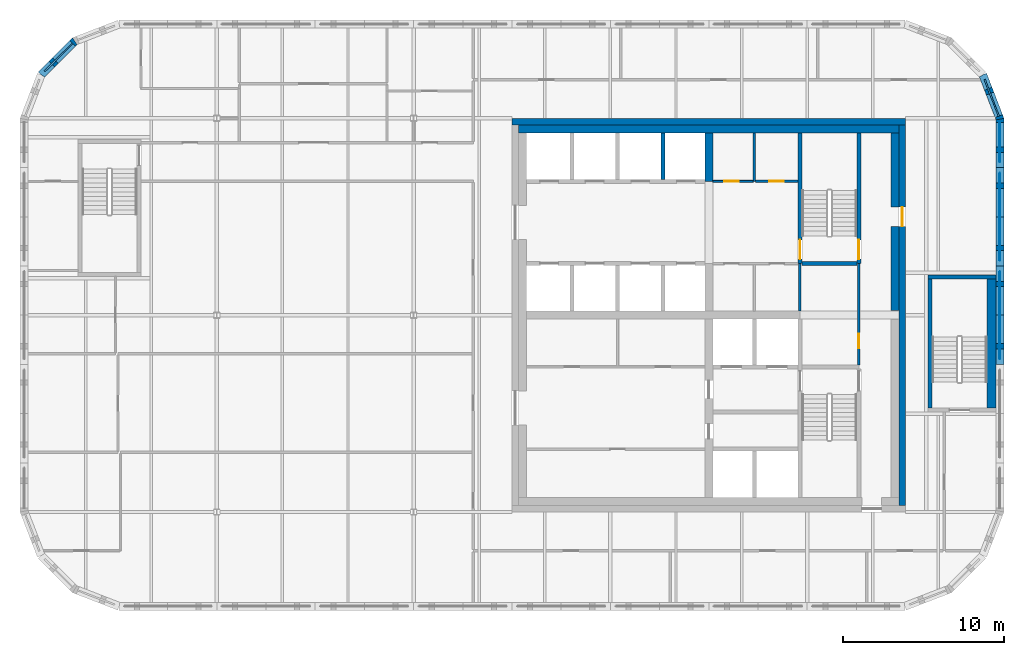
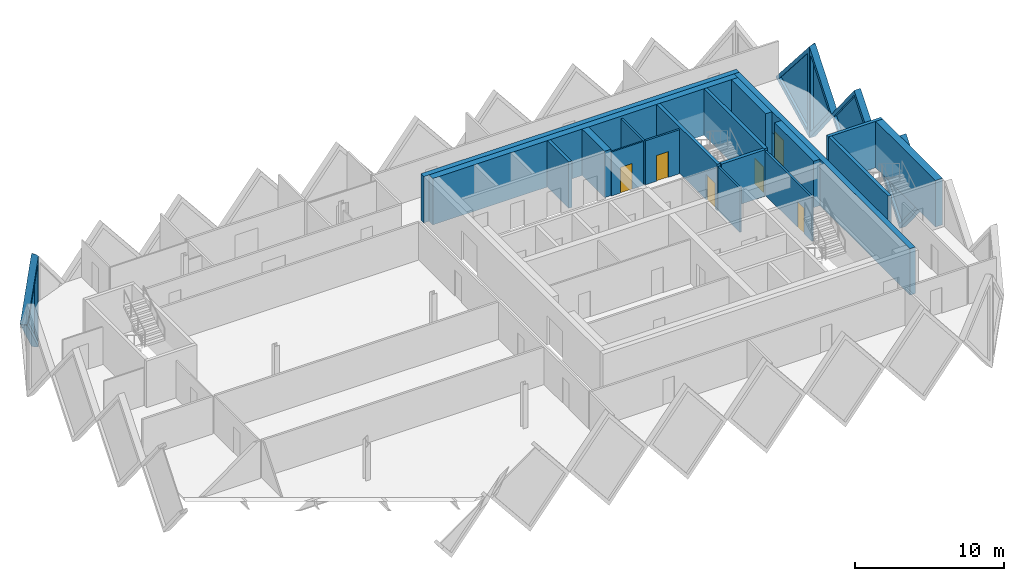
# One storey, part 7 of 10: 23 walls, 6 doors, 5 plates, 11 openings.
"""IFC4 building model written with IfcOpenShell, lengths in metres."""

from ifc_helpers import new_model, si_unit, direction, frame, frame_2d, origin, place, context, subcontext, project, spatial, polyline, rectangle, outline, extrude, faceted_brep, source, transform, mapped, material, layer, layer_set, type_object, element, fill, save


model = new_model("IFC4")

# Units and contexts
model_context = context("Model", 3, precision=1e-05, world=origin(), true_north=direction((0.0, 1.0)))
body_context = subcontext(model_context, "Body", "Model", "MODEL_VIEW")
ifc_project = project(units=[si_unit("LENGTHUNIT", "METRE"), si_unit("AREAUNIT", "SQUARE_METRE"), si_unit("VOLUMEUNIT", "CUBIC_METRE"), si_unit("PLANEANGLEUNIT", "RADIAN"), si_unit("MASSUNIT", "GRAM", prefix="KILO")], contexts=[model_context])

# Site, building, storey
site_placement = place(None, origin())
site = spatial("IfcSite", under=ifc_project, at=site_placement, CompositionType="ELEMENT")
building_placement = place(site_placement, origin())
building = spatial("IfcBuilding", under=site, at=building_placement, Name="Tessera Gate Towers", CompositionType="ELEMENT")
storey_placement = place(building_placement, frame((0.0, 0.0, 248.300048828125)))
storey = spatial("IfcBuildingStorey", under=building, at=storey_placement, Name="L62", CompositionType="ELEMENT", Elevation=248.300048828125)

# Wall, opening, door
ifc_material_1 = material(Name="Concrete C40/50", Category="concrete")
ifc_layer_1 = layer(ifc_material_1, 0.25)
ifc_layer_set_1 = layer_set([ifc_layer_1], Name="CORE ENCLOSURE WALL 250")
wall_type_1 = type_object("IfcWallType", Name="CORE ENCLOSURE WALL 250", PredefinedType="SOLIDWALL", material=ifc_layer_set_1)
wall_1_placement = place(storey_placement, frame((48.35009765625, 47.89990234375, 0.0), z_axis=(0.0, 0.0, 1.0), x_axis=(0.0, -1.0, 0.0)))
wall_1 = element("IfcWall", 1, at=wall_1_placement, inside=storey, type_object=wall_type_1, Name="L62 shaft and stair enclosure wall", PredefinedType="SOLIDWALL", context=body_context, shape_type="SweptSolid", body=[
    extrude(rectangle(XDim=8.099853515625, YDim=0.25, at=frame_2d((4.0498046875, 0.0))), origin(), (0.0, 0.0, 1.0), 3.800048828125),
])
shared_shape_1 = source(origin(), body_context, "Body", "SweptSolid", [
    extrude(rectangle(XDim=1.199951171875, YDim=2.10009765625, at=frame_2d((0.60009765625, 1.050048828125))), frame((0.0, 0.135009765625, 0.0), z_axis=(0.0, -1.0, 0.0), x_axis=(1.0, 0.0, 0.0)), (0.0, 0.0, 1.0), 0.27001953125),
])
opening_1_placement = place(wall_1_placement, frame((6.625, 0.0, 0.0)))
opening_1 = element("IfcOpeningElement", 2, at=opening_1_placement, cuts=wall_1, Name="Opening SD-ST2-1", PredefinedType="OPENING", context=body_context, shape_type="MappedRepresentation", body=[
    mapped(shared_shape_1, transform((0.0, 0.0, 0.0), scale=1.0)),
])
ifc_material_2 = material(Name="Hollow steel fire door", Category="steel")
door_type_1 = type_object("IfcDoorType", Name="CORE DOOR SD 1200x2100", OperationType="NOTDEFINED", PredefinedType="DOOR", material=ifc_material_2)
shared_shape_2 = source(origin(), body_context, "Body", "SweptSolid", [
    extrude(rectangle(XDim=1.199951171875, YDim=2.10009765625, at=frame_2d((0.60009765625, 1.050048828125))), frame((0.0, 0.02490234375, 0.0), z_axis=(0.0, -1.0, 0.0), x_axis=(1.0, 0.0, 0.0)), (0.0, 0.0, 1.0), 0.050048828125),
])
door_1_placement = place(opening_1_placement, origin())
door_1 = element("IfcDoor", 3, at=door_1_placement, inside=storey, type_object=door_type_1, Name="Stair door", OperationType="SINGLE_SWING_RIGHT", OverallHeight=2.10009765625, OverallWidth=1.199951171875, PredefinedType="DOOR", context=body_context, shape_type="MappedRepresentation", body=[
    mapped(shared_shape_2, transform((0.0, 0.0, 0.0), scale=1.0)),
])
fill(opening_1, door_1)

wall_2_placement = place(storey_placement, frame((52.0, 39.800048828125, 0.0), z_axis=(0.0, 0.0, 1.0), x_axis=(0.0, 1.0, 0.0)))
wall_2 = element("IfcWall", 4, at=wall_2_placement, inside=storey, type_object=wall_type_1, Name="L62 shaft and stair enclosure wall", PredefinedType="SOLIDWALL", context=body_context, shape_type="SweptSolid", body=[
    extrude(rectangle(XDim=8.099853515625, YDim=0.25, at=frame_2d((4.0498046875, 0.0))), origin(), (0.0, 0.0, 1.0), 3.800048828125),
])
opening_2_placement = place(wall_2_placement, frame((0.27490234375, 0.0, 0.0)))
opening_2 = element("IfcOpeningElement", 5, at=opening_2_placement, cuts=wall_2, Name="Opening SD-ST2-2", PredefinedType="OPENING", context=body_context, shape_type="MappedRepresentation", body=[
    mapped(shared_shape_1, transform((0.0, 0.0, 0.0), scale=1.0)),
])
door_2_placement = place(opening_2_placement, origin())
door_2 = element("IfcDoor", 6, at=door_2_placement, inside=storey, type_object=door_type_1, Name="Stair door", OperationType="SINGLE_SWING_LEFT", OverallHeight=2.10009765625, OverallWidth=1.199951171875, PredefinedType="DOOR", context=body_context, shape_type="MappedRepresentation", body=[
    mapped(shared_shape_2, transform((0.0, 0.0, 0.0), scale=1.0)),
])
fill(opening_2, door_2)

# Walls
wall_3_placement = place(storey_placement, frame((48.47509765625, 39.800048828125, 0.0), z_axis=(0.0, 0.0, 1.0), x_axis=(1.0, 0.0, 0.0)))
element("IfcWall", 7, at=wall_3_placement, inside=storey, type_object=wall_type_1, Name="L62 shaft and stair enclosure wall", PredefinedType="SOLIDWALL", context=body_context, shape_type="SweptSolid", body=[
    extrude(rectangle(XDim=3.39990234375, YDim=0.25, at=frame_2d((1.699951171875, 0.0))), origin(), (0.0, 0.0, 1.0), 3.800048828125),
])
wall_4_placement = place(storey_placement, frame((39.875, 45.02490234375, 0.0), z_axis=(0.0, 0.0, 1.0), x_axis=(0.0, 1.0, 0.0)))
element("IfcWall", 8, at=wall_4_placement, inside=storey, type_object=wall_type_1, Name="L62 shaft and stair enclosure wall", PredefinedType="SOLIDWALL", context=body_context, shape_type="SweptSolid", body=[
    extrude(rectangle(XDim=2.875, YDim=0.25, at=frame_2d((1.4375, 0.0))), origin(), (0.0, 0.0, 1.0), 3.800048828125),
])
wall_5_placement = place(storey_placement, frame((56.425048828125, 30.85009765625, 0.0), z_axis=(0.0, 0.0, 1.0), x_axis=(0.0, 1.0, 0.0)))
element("IfcWall", 9, at=wall_5_placement, inside=storey, type_object=wall_type_1, Name="L62 ST5 enclosure wall", PredefinedType="SOLIDWALL", context=body_context, shape_type="SweptSolid", body=[
    extrude(rectangle(XDim=8.0, YDim=0.25, at=frame_2d((4.0, 0.0))), origin(), (0.0, 0.0, 1.0), 3.800048828125),
])
wall_6_placement = place(storey_placement, frame((56.300048828125, 38.97509765625, 0.0), z_axis=(0.0, 0.0, 1.0), x_axis=(1.0, 0.0, 0.0)))
element("IfcWall", 10, at=wall_6_placement, inside=storey, type_object=wall_type_1, Name="L62 ST5 enclosure wall", PredefinedType="SOLIDWALL", context=body_context, shape_type="SweptSolid", body=[
    extrude(rectangle(XDim=4.199951171875, YDim=0.25, at=frame_2d((2.10009765625, 0.0))), origin(), (0.0, 0.0, 1.0), 3.800048828125),
])
ifc_material_3 = material(Name="Concrete C40/50", Category="concrete")
ifc_layer_2 = layer(ifc_material_3, 0.550048828125)
ifc_layer_set_2 = layer_set([ifc_layer_2], Name="CORE ENCLOSURE WALL 550")
wall_type_2 = type_object("IfcWallType", Name="CORE ENCLOSURE WALL 550", PredefinedType="SOLIDWALL", material=ifc_layer_set_2)
wall_7_placement = place(storey_placement, frame((60.22509765625, 38.85009765625, 0.0), z_axis=(0.0, 0.0, 1.0), x_axis=(0.0, -1.0, 0.0)))
element("IfcWall", 11, at=wall_7_placement, inside=storey, type_object=wall_type_2, Name="L62 ST5 enclosure wall", PredefinedType="SOLIDWALL", context=body_context, shape_type="SweptSolid", body=[
    extrude(rectangle(XDim=8.0, YDim=0.550048828125, at=frame_2d((4.0, 0.0))), origin(), (0.0, 0.0, 1.0), 3.800048828125),
])

# Wall, opening, door
ifc_material_4 = material(Name="Gypsum board on steel studs", Category="steel")
ifc_layer_3 = layer(ifc_material_4, 0.1201171875)
ifc_layer_set_3 = layer_set([ifc_layer_3], Name="CORE PARTITION 120")
wall_type_3 = type_object("IfcWallType", Name="CORE PARTITION 120", PredefinedType="PARTITIONING", material=ifc_layer_set_3)
wall_8_placement = place(storey_placement, frame((42.949951171875, 44.89990234375, 0.0), z_axis=(0.0, 0.0, 1.0), x_axis=(1.0, 0.0, 0.0)))
wall_8 = element("IfcWall", 12, at=wall_8_placement, inside=storey, type_object=wall_type_3, Name="L62 core partition", PredefinedType="PARTITIONING", context=body_context, shape_type="SweptSolid", body=[
    extrude(rectangle(XDim=2.5, YDim=0.1201171875, at=frame_2d((1.25, 0.0))), origin(), (0.0, 0.0, 1.0), 3.599853515625),
])
shared_shape_3 = source(origin(), body_context, "Body", "SweptSolid", [
    extrude(rectangle(XDim=0.89990234375, YDim=2.10009765625, at=frame_2d((0.449951171875, 1.050048828125))), frame((0.0, 0.070068359375, 0.0), z_axis=(0.0, -1.0, 0.0), x_axis=(1.0, 0.0, 0.0)), (0.0, 0.0, 1.0), 0.14013671875),
])
opening_3_placement = place(wall_8_placement, frame((0.71240234375, 0.0, 0.0)))
opening_3 = element("IfcOpeningElement", 13, at=opening_3_placement, cuts=wall_8, Name="Opening RD-T1-37-13", PredefinedType="OPENING", context=body_context, shape_type="MappedRepresentation", body=[
    mapped(shared_shape_3, transform((0.0, 0.0, 0.0), scale=1.0)),
])
ifc_material_5 = material(Name="Hollow steel fire door", Category="steel")
door_type_2 = type_object("IfcDoorType", Name="CORE DOOR RD 900x2100", OperationType="NOTDEFINED", PredefinedType="DOOR", material=ifc_material_5)
shared_shape_4 = source(origin(), body_context, "Body", "SweptSolid", [
    extrude(rectangle(XDim=0.89990234375, YDim=2.10009765625, at=frame_2d((0.449951171875, 1.050048828125))), frame((0.0, 0.02490234375, 0.0), z_axis=(0.0, -1.0, 0.0), x_axis=(1.0, 0.0, 0.0)), (0.0, 0.0, 1.0), 0.050048828125),
])
door_3_placement = place(opening_3_placement, origin())
door_3 = element("IfcDoor", 14, at=door_3_placement, inside=storey, type_object=door_type_2, Name="Core room door", OperationType="SINGLE_SWING_LEFT", OverallHeight=2.10009765625, OverallWidth=0.89990234375, PredefinedType="DOOR", context=body_context, shape_type="MappedRepresentation", body=[
    mapped(shared_shape_4, transform((0.0, 0.0, 0.0), scale=1.0)),
])
fill(opening_3, door_3)

# Wall
ifc_material_6 = material(Name="Concrete C40/50", Category="concrete")
ifc_layer_4 = layer(ifc_material_6, 0.39990234375)
ifc_layer_set_4 = layer_set([ifc_layer_4], Name="CORE SHEAR WALL 400 C40/50")
wall_type_4 = type_object("IfcWallType", Name="CORE SHEAR WALL 400 C40/50", PredefinedType="SHEAR", material=ifc_layer_set_4)
wall_9_placement = place(storey_placement, frame((30.5, 48.60009765625, 0.0), z_axis=(0.0, 0.0, 1.0), x_axis=(1.0, 0.0, 0.0)))
element("IfcWall", 15, at=wall_9_placement, inside=storey, type_object=wall_type_4, Name="Core wall N L62", PredefinedType="SHEAR", context=body_context, shape_type="SweptSolid", body=[
    extrude(rectangle(XDim=24.39990234375, YDim=0.39990234375, at=frame_2d((12.199951171875, 0.0))), origin(), (0.0, 0.0, 1.0), 3.800048828125),
])

# Wall, opening, door
wall_10_placement = place(storey_placement, frame((54.699951171875, 48.39990234375, 0.0), z_axis=(0.0, 0.0, 1.0), x_axis=(0.0, -1.0, 0.0)))
wall_10 = element("IfcWall", 16, at=wall_10_placement, inside=storey, type_object=wall_type_4, Name="Core wall E L62", PredefinedType="SHEAR", context=body_context, shape_type="SweptSolid", body=[
    extrude(rectangle(XDim=23.599853515625, YDim=0.39990234375, at=frame_2d((11.7998046875, 0.0))), origin(), (0.0, 0.0, 1.0), 3.800048828125),
])
shared_shape_5 = source(origin(), body_context, "Body", "SweptSolid", [
    extrude(rectangle(XDim=1.199951171875, YDim=2.10009765625, at=frame_2d((0.60009765625, 1.050048828125))), frame((0.0, 0.2099609375, 0.0), z_axis=(0.0, -1.0, 0.0), x_axis=(1.0, 0.0, 0.0)), (0.0, 0.0, 1.0), 0.419921875),
])
opening_4_placement = place(wall_10_placement, frame((5.10009765625, 0.0, 0.0)))
opening_4 = element("IfcOpeningElement", 17, at=opening_4_placement, cuts=wall_10, Name="Opening ED-T1-37-04", PredefinedType="OPENING", context=body_context, shape_type="MappedRepresentation", body=[
    mapped(shared_shape_5, transform((0.0, 0.0, 0.0), scale=1.0)),
])
ifc_material_7 = material(Name="Hollow steel fire door", Category="steel")
door_type_3 = type_object("IfcDoorType", Name="CORE DOOR ED 1200x2100", OperationType="NOTDEFINED", PredefinedType="DOOR", material=ifc_material_7)
door_4_placement = place(opening_4_placement, origin())
door_4 = element("IfcDoor", 18, at=door_4_placement, inside=storey, type_object=door_type_3, Name="Core exit door", OperationType="SINGLE_SWING_LEFT", OverallHeight=2.10009765625, OverallWidth=1.199951171875, PredefinedType="DOOR", context=body_context, shape_type="MappedRepresentation", body=[
    mapped(shared_shape_2, transform((0.0, 0.0, 0.0), scale=1.0)),
])
fill(opening_4, door_4)

# Walls
ifc_material_8 = material(Name="Concrete C40/50", Category="concrete")
ifc_layer_5 = layer(ifc_material_8, 0.5)
ifc_layer_set_5 = layer_set([ifc_layer_5], Name="CORE SPINE WALL 500 C40/50")
wall_type_5 = type_object("IfcWallType", Name="CORE SPINE WALL 500 C40/50", PredefinedType="SHEAR", material=ifc_layer_set_5)
wall_11_placement = place(storey_placement, frame((42.699951171875, 44.89990234375, 0.0), z_axis=(0.0, 0.0, 1.0), x_axis=(0.0, 1.0, 0.0)))
element("IfcWall", 19, at=wall_11_placement, inside=storey, type_object=wall_type_5, Name="Core wall spine L62", PredefinedType="SHEAR", context=body_context, shape_type="SweptSolid", body=[
    extrude(rectangle(XDim=3.0, YDim=0.5, at=frame_2d((1.5, 0.0))), origin(), (0.0, 0.0, 1.0), 3.800048828125),
])
ifc_material_9 = material(Name="Concrete C40/50", Category="concrete")
ifc_layer_6 = layer(ifc_material_9, 0.5)
ifc_layer_set_6 = layer_set([ifc_layer_6], Name="CORE WALL THICKENING 500")
wall_type_6 = type_object("IfcWallType", Name="CORE WALL THICKENING 500", PredefinedType="SOLIDWALL", material=ifc_layer_set_6)
wall_12_placement = place(storey_placement, frame((30.89990234375, 48.14990234375, 0.0), z_axis=(0.0, 0.0, 1.0), x_axis=(1.0, 0.0, 0.0)))
element("IfcWall", 20, at=wall_12_placement, inside=storey, type_object=wall_type_6, Name="Core wall thickening N L62", PredefinedType="SOLIDWALL", context=body_context, shape_type="SweptSolid", body=[
    extrude(rectangle(XDim=23.60009765625, YDim=0.5, at=frame_2d((11.800048828125, 0.0))), origin(), (0.0, 0.0, 1.0), 3.800048828125),
])
wall_13_placement = place(storey_placement, frame((54.25, 36.8798828125, 0.0), z_axis=(0.0, 0.0, 1.0), x_axis=(0.0, 1.0, 0.0)))
element("IfcWall", 21, at=wall_13_placement, inside=storey, type_object=wall_type_6, Name="Core wall thickening E L62", PredefinedType="SOLIDWALL", context=body_context, shape_type="SweptSolid", body=[
    extrude(rectangle(XDim=5.22021484375, YDim=0.5, at=frame_2d((2.610107421875, 0.0))), origin(), (0.0, 0.0, 1.0), 3.800048828125),
])
wall_14_placement = place(storey_placement, frame((54.25, 43.300048828125, 0.0), z_axis=(0.0, 0.0, 1.0), x_axis=(0.0, 1.0, 0.0)))
element("IfcWall", 22, at=wall_14_placement, inside=storey, type_object=wall_type_6, Name="Core wall thickening E L62", PredefinedType="SOLIDWALL", context=body_context, shape_type="SweptSolid", body=[
    extrude(rectangle(XDim=4.599853515625, YDim=0.5, at=frame_2d((2.2998046875, 0.0))), origin(), (0.0, 0.0, 1.0), 3.800048828125),
])

# Wall, opening, door
ifc_material_10 = material(Name="Gypsum board on steel studs", Category="steel")
ifc_layer_7 = layer(ifc_material_10, 0.14990234375)
ifc_layer_set_7 = layer_set([ifc_layer_7], Name="SERVICE ROOM WALL 150")
wall_type_7 = type_object("IfcWallType", Name="SERVICE ROOM WALL 150", PredefinedType="PARTITIONING", material=ifc_layer_set_7)
wall_15_placement = place(storey_placement, frame((52.0, 33.52490234375, 0.0), z_axis=(0.0, 0.0, 1.0), x_axis=(0.0, 1.0, 0.0)))
wall_15 = element("IfcWall", 23, at=wall_15_placement, inside=storey, type_object=wall_type_7, Name="L62 service room wall", PredefinedType="PARTITIONING", context=body_context, shape_type="SweptSolid", body=[
    extrude(rectangle(XDim=6.275146484375, YDim=0.14990234375, at=frame_2d((3.1376953125, 0.0))), origin(), (0.0, 0.0, 1.0), 3.599853515625),
])
shared_shape_6 = source(origin(), body_context, "Body", "SweptSolid", [
    extrude(rectangle(XDim=0.89990234375, YDim=2.10009765625, at=frame_2d((0.449951171875, 1.050048828125))), frame((0.0, 0.0849609375, 0.0), z_axis=(0.0, -1.0, 0.0), x_axis=(1.0, 0.0, 0.0)), (0.0, 0.0, 1.0), 0.169921875),
])
opening_5_placement = place(wall_15_placement, frame((1.02490234375, 0.0, 0.0)))
opening_5 = element("IfcOpeningElement", 24, at=opening_5_placement, cuts=wall_15, Name="Opening RD-T1-37-10", PredefinedType="OPENING", context=body_context, shape_type="MappedRepresentation", body=[
    mapped(shared_shape_6, transform((0.0, 0.0, 0.0), scale=1.0)),
])
door_5_placement = place(opening_5_placement, origin())
door_5 = element("IfcDoor", 25, at=door_5_placement, inside=storey, type_object=door_type_2, Name="Core room door", OperationType="SINGLE_SWING_LEFT", OverallHeight=2.10009765625, OverallWidth=0.89990234375, PredefinedType="DOOR", context=body_context, shape_type="MappedRepresentation", body=[
    mapped(shared_shape_4, transform((0.0, 0.0, 0.0), scale=1.0)),
])
fill(opening_5, door_5)

# Walls
wall_16_placement = place(storey_placement, frame((48.35009765625, 36.85009765625, 0.0), z_axis=(0.0, 0.0, 1.0), x_axis=(0.0, 1.0, 0.0)))
element("IfcWall", 26, at=wall_16_placement, inside=storey, type_object=wall_type_7, Name="L62 service room wall", PredefinedType="PARTITIONING", context=body_context, shape_type="SweptSolid", body=[
    extrude(rectangle(XDim=2.949951171875, YDim=0.14990234375, at=frame_2d((1.47509765625, 0.0))), origin(), (0.0, 0.0, 1.0), 3.599853515625),
])
wall_17_placement = place(storey_placement, frame((45.52490234375, 44.89990234375, 0.0), z_axis=(0.0, 0.0, 1.0), x_axis=(0.0, 1.0, 0.0)))
element("IfcWall", 27, at=wall_17_placement, inside=storey, type_object=wall_type_7, Name="L62 service room wall", PredefinedType="PARTITIONING", context=body_context, shape_type="SweptSolid", body=[
    extrude(rectangle(XDim=3.0, YDim=0.14990234375, at=frame_2d((1.5, 0.0))), origin(), (0.0, 0.0, 1.0), 3.599853515625),
])

# Wall, opening, door
wall_18_placement = place(storey_placement, frame((45.60009765625, 44.89990234375, 0.0), z_axis=(0.0, 0.0, 1.0), x_axis=(1.0, 0.0, 0.0)))
wall_18 = element("IfcWall", 28, at=wall_18_placement, inside=storey, type_object=wall_type_7, Name="L62 service room wall", PredefinedType="PARTITIONING", context=body_context, shape_type="SweptSolid", body=[
    extrude(rectangle(XDim=2.625, YDim=0.14990234375, at=frame_2d((1.3125, 0.0))), origin(), (0.0, 0.0, 1.0), 3.599853515625),
])
opening_6_placement = place(wall_18_placement, frame((0.85009765625, 0.0, 0.0)))
opening_6 = element("IfcOpeningElement", 29, at=opening_6_placement, cuts=wall_18, Name="Opening RD-T1-37-14", PredefinedType="OPENING", context=body_context, shape_type="MappedRepresentation", body=[
    mapped(shared_shape_6, transform((0.0, 0.0, 0.0), scale=1.0)),
])
door_6_placement = place(opening_6_placement, origin())
door_6 = element("IfcDoor", 30, at=door_6_placement, inside=storey, type_object=door_type_2, Name="Core room door", OperationType="SINGLE_SWING_LEFT", OverallHeight=2.10009765625, OverallWidth=0.89990234375, PredefinedType="DOOR", context=body_context, shape_type="MappedRepresentation", body=[
    mapped(shared_shape_4, transform((0.0, 0.0, 0.0), scale=1.0)),
])
fill(opening_6, door_6)

# Wall, opening, plate
ifc_material_11 = material(Name="Precast concrete C60/75 white", Category="concrete")
ifc_layer_8 = layer(ifc_material_11, 0.5)
ifc_layer_set_8 = layer_set([ifc_layer_8], Name="TS1 tessera")
wall_type_8 = type_object("IfcWallType", Name="TS1 tessera", PredefinedType="SOLIDWALL", material=ifc_layer_set_8)
shared_shape_7 = source(origin(), body_context, "Body", "Brep", [
    faceted_brep([(3.050048828125, -0.25, 0.0), (6.099853515625, -0.25, 3.7998046875), (6.099853515625, -0.25, 3.80029296875), (3.050048828125, -0.25, 7.60009765625), (0.0, -0.25, 3.800048828125), (0.0, 0.25, 3.800048828125), (3.050048828125, 0.25, 7.60009765625), (6.099853515625, 0.25, 3.80029296875), (6.099853515625, 0.25, 3.7998046875), (3.050048828125, 0.25, 0.0)], [[[0, 1, 2, 3, 4]], [[5, 6, 7, 8, 9]], [[9, 8, 1, 0]], [[7, 6, 3, 2]], [[6, 5, 4, 3]], [[5, 9, 0, 4]], [[1, 8, 7, 2]]]),
])
wall_19_placement = place(storey_placement, frame((60.75, 33.550048828125, -3.800048828125), z_axis=(0.0, 0.0, 1.0), x_axis=(0.0, 1.0, 0.0)))
wall_19 = element("IfcWall", 31, at=wall_19_placement, inside=storey, type_object=wall_type_8, Name="Precast tessera T1 TS1-1088", PredefinedType="SOLIDWALL", context=body_context, shape_type="MappedRepresentation", body=[
    mapped(shared_shape_7, transform((0.0, 0.0, 0.0), scale=1.0)),
])
shared_shape_8 = source(origin(), body_context, "Body", "SweptSolid", [
    extrude(outline(polyline([(3.050048828125, 0.3994140625), (5.779541015625, 3.800048828125), (3.050048828125, 7.20068359375), (0.320556640625, 3.800048828125), (3.050048828125, 0.3994140625)])), frame((0.0, 0.260009765625, 0.0), z_axis=(0.0, -1.0, 0.0), x_axis=(1.0, 0.0, 0.0)), (0.0, 0.0, 1.0), 0.52001953125),
])
opening_7_placement = place(wall_19_placement, origin())
opening_7 = element("IfcOpeningElement", 32, at=opening_7_placement, cuts=wall_19, Name="Opening T1-PL2-2208", PredefinedType="OPENING", context=body_context, shape_type="MappedRepresentation", body=[
    mapped(shared_shape_8, transform((0.0, 0.0, 0.0), scale=1.0)),
])
ifc_material_12 = material(Name="Low-e laminated glass", Category="glass")
ifc_layer_9 = layer(ifc_material_12, 0.06005859375)
ifc_layer_set_9 = layer_set([ifc_layer_9], Name="PL2 rhombic pane")
plate_type = type_object("IfcPlateType", Name="PL2 rhombic pane", PredefinedType="SHEET", material=ifc_layer_set_9)
shared_shape_9 = source(origin(), body_context, "Body", "SweptSolid", [
    extrude(outline(polyline([(3.050048828125, 0.3994140625), (5.779541015625, 3.800048828125), (3.050048828125, 7.20068359375), (0.320556640625, 3.800048828125), (3.050048828125, 0.3994140625)])), frame((0.0, 0.030029296875, 0.0), z_axis=(0.0, -1.0, 0.0), x_axis=(1.0, 0.0, 0.0)), (0.0, 0.0, 1.0), 0.06005859375),
])
plate_1_placement = place(opening_7_placement, origin())
plate_1 = element("IfcPlate", 33, at=plate_1_placement, inside=storey, type_object=plate_type, Name="Glass pane T1 PL2-2208", PredefinedType="SHEET", context=body_context, shape_type="MappedRepresentation", body=[
    mapped(shared_shape_9, transform((0.0, 0.0, 0.0), scale=1.0)),
])
fill(opening_7, plate_1)

shared_shape_10 = source(origin(), body_context, "Body", "SweptSolid", [
    extrude(outline(polyline([(3.050048828125, 0.0), (6.10009765625, 3.800048828125), (3.050048828125, 7.60009765625), (0.0, 3.800048828125), (3.050048828125, 0.0)])), frame((0.0, 0.25, 0.0), z_axis=(0.0, -1.0, 0.0), x_axis=(1.0, 0.0, 0.0)), (0.0, 0.0, 1.0), 0.5),
])
wall_20_placement = place(storey_placement, frame((60.75, 39.64990234375, -3.800048828125), z_axis=(0.0, 0.0, 1.0), x_axis=(0.0, 1.0, 0.0)))
wall_20 = element("IfcWall", 34, at=wall_20_placement, inside=storey, type_object=wall_type_8, Name="Precast tessera T1 TS1-1089", PredefinedType="SOLIDWALL", context=body_context, shape_type="MappedRepresentation", body=[
    mapped(shared_shape_10, transform((0.0, 0.0, 0.0), scale=1.0)),
])
opening_8_placement = place(wall_20_placement, origin())
opening_8 = element("IfcOpeningElement", 35, at=opening_8_placement, cuts=wall_20, Name="Opening T1-PL2-2209", PredefinedType="OPENING", context=body_context, shape_type="MappedRepresentation", body=[
    mapped(shared_shape_8, transform((0.0, 0.0, 0.0), scale=1.0)),
])
plate_2_placement = place(opening_8_placement, origin())
plate_2 = element("IfcPlate", 36, at=plate_2_placement, inside=storey, type_object=plate_type, Name="Glass pane T1 PL2-2209", PredefinedType="SHEET", context=body_context, shape_type="MappedRepresentation", body=[
    mapped(shared_shape_9, transform((0.0, 0.0, 0.0), scale=1.0)),
])
fill(opening_8, plate_2)

ifc_material_13 = material(Name="Precast concrete C60/75 white", Category="concrete")
ifc_layer_10 = layer(ifc_material_13, 0.5)
ifc_layer_set_10 = layer_set([ifc_layer_10], Name="TS3 corner tessera")
wall_type_9 = type_object("IfcWallType", Name="TS3 corner tessera", PredefinedType="SOLIDWALL", material=ifc_layer_set_10)
shared_shape_11 = source(origin(), body_context, "Body", "Brep", [
    faceted_brep([(3.00341796875, -0.25, 0.0), (3.050048828125, -0.25, 0.06005859375), (3.050048828125, -0.25, 7.5400390625), (3.00341796875, -0.25, 7.60009765625), (0.0, -0.25, 3.800048828125), (0.0, 0.25, 3.800048828125), (2.956787109375, 0.25, 7.541259765625), (2.956787109375, 0.25, 0.058837890625), (3.00341796875, 0.000244140625, 0.0), (3.00341796875, 0.000244140625, 7.60009765625)], [[[0, 1, 2, 3, 4]], [[5, 6, 7]], [[1, 0, 8]], [[9, 3, 2]], [[6, 5, 4, 3, 9]], [[5, 7, 8, 0, 4]], [[1, 8, 7, 6, 9, 2]]]),
])
wall_21_placement = place(storey_placement, frame((60.75, 45.75, -3.800048828125), z_axis=(0.0, 0.0, 1.0), x_axis=(0.0, 1.0, 0.0)))
wall_21 = element("IfcWall", 37, at=wall_21_placement, inside=storey, type_object=wall_type_9, Name="Precast corner tessera T1 TS3-1421", PredefinedType="SOLIDWALL", context=body_context, shape_type="MappedRepresentation", body=[
    mapped(shared_shape_11, transform((0.0, 0.0, 0.0), scale=1.0)),
])
shared_shape_12 = source(origin(), body_context, "Body", "SweptSolid", [
    extrude(outline(polyline([(2.803466796875, 6.94384765625), (0.318603515625, 3.800048828125), (2.803466796875, 0.65625), (2.803466796875, 6.94384765625)])), frame((0.0, 0.260009765625, 0.0), z_axis=(0.0, -1.0, 0.0), x_axis=(1.0, 0.0, 0.0)), (0.0, 0.0, 1.0), 0.52001953125),
])
opening_9_placement = place(wall_21_placement, origin())
opening_9 = element("IfcOpeningElement", 38, at=opening_9_placement, cuts=wall_21, Name="Opening T1-PL2-2210", PredefinedType="OPENING", context=body_context, shape_type="MappedRepresentation", body=[
    mapped(shared_shape_12, transform((0.0, 0.0, 0.0), scale=1.0)),
])
shared_shape_13 = source(origin(), body_context, "Body", "SweptSolid", [
    extrude(outline(polyline([(2.803466796875, 6.94384765625), (0.318603515625, 3.800048828125), (2.803466796875, 0.65625), (2.803466796875, 6.94384765625)])), frame((0.0, 0.030029296875, 0.0), z_axis=(0.0, -1.0, 0.0), x_axis=(1.0, 0.0, 0.0)), (0.0, 0.0, 1.0), 0.06005859375),
])
plate_3_placement = place(opening_9_placement, origin())
plate_3 = element("IfcPlate", 39, at=plate_3_placement, inside=storey, type_object=plate_type, Name="Glass pane T1 PL2-2210", PredefinedType="SHEET", context=body_context, shape_type="MappedRepresentation", body=[
    mapped(shared_shape_13, transform((0.0, 0.0, 0.0), scale=1.0)),
])
fill(opening_9, plate_3)

shared_shape_14 = source(origin(), body_context, "Body", "Brep", [
    faceted_brep([(0.046630859375, -0.25, 0.0), (2.9970703125, -0.25, 3.800048828125), (0.046630859375, -0.25, 7.60009765625), (0.0, -0.25, 7.541259765625), (0.0, -0.25, 0.058837890625), (0.09326171875, 0.25, 7.5400390625), (2.9443359375, 0.25, 3.8681640625), (2.9443359375, 0.25, 3.73193359375), (0.09326171875, 0.25, 0.06005859375), (2.9970703125, 0.00048828125, 3.800048828125), (0.046630859375, 0.0, 0.0), (0.046630859375, 0.0, 7.60009765625)], [[[0, 1, 2, 3, 4]], [[5, 6, 7, 8]], [[8, 7, 9, 1, 0, 10]], [[6, 5, 11, 2, 1, 9]], [[3, 2, 11]], [[10, 0, 4]], [[8, 10, 4, 3, 11, 5]], [[9, 7, 6]]]),
])
wall_22_placement = place(storey_placement, frame((60.766845703125, 48.7099609375, -3.800048828125), z_axis=(0.0, 0.0, 1.0), x_axis=(-0.359901446078, 0.932990326376, 0.0)))
wall_22 = element("IfcWall", 40, at=wall_22_placement, inside=storey, type_object=wall_type_9, Name="Precast corner tessera T1 TS3-1422", PredefinedType="SOLIDWALL", context=body_context, shape_type="MappedRepresentation", body=[
    mapped(shared_shape_14, transform((0.0, 0.0, 0.0), scale=1.0)),
])
shared_shape_15 = source(origin(), body_context, "Body", "SweptSolid", [
    extrude(outline(polyline([(0.24658203125, 0.665283203125), (2.6806640625, 3.800048828125), (0.24658203125, 6.934814453125), (0.24658203125, 0.665283203125)])), frame((0.0, 0.260009765625, 0.0), z_axis=(0.0, -1.0, 0.0), x_axis=(1.0, 0.0, 0.0)), (0.0, 0.0, 1.0), 0.52001953125),
])
opening_10_placement = place(wall_22_placement, origin())
opening_10 = element("IfcOpeningElement", 41, at=opening_10_placement, cuts=wall_22, Name="Opening T1-PL2-2211", PredefinedType="OPENING", context=body_context, shape_type="MappedRepresentation", body=[
    mapped(shared_shape_15, transform((0.0, 0.0, 0.0), scale=1.0)),
])
shared_shape_16 = source(origin(), body_context, "Body", "SweptSolid", [
    extrude(outline(polyline([(0.24658203125, 0.665283203125), (2.6806640625, 3.800048828125), (0.24658203125, 6.934814453125), (0.24658203125, 0.665283203125)])), frame((0.0, 0.030029296875, 0.0), z_axis=(0.0, -1.0, 0.0), x_axis=(1.0, 0.0, 0.0)), (0.0, 0.0, 1.0), 0.06005859375),
])
plate_4_placement = place(opening_10_placement, origin())
plate_4 = element("IfcPlate", 42, at=plate_4_placement, inside=storey, type_object=plate_type, Name="Glass pane T1 PL2-2211", PredefinedType="SHEET", context=body_context, shape_type="MappedRepresentation", body=[
    mapped(shared_shape_16, transform((0.0, 0.0, 0.0), scale=1.0)),
])
fill(opening_10, plate_4)

shared_shape_17 = source(origin(), body_context, "Body", "Brep", [
    faceted_brep([(0.052978515625, -0.25, 0.0), (2.9970703125, -0.25, 3.800048828125), (0.052978515625, -0.25, 7.60009765625), (0.0, -0.25, 7.531982421875), (0.0, -0.25, 0.068115234375), (0.10595703125, 0.25, 7.53173828125), (2.944091796875, 0.25, 3.8681640625), (2.944091796875, 0.25, 3.73193359375), (0.10595703125, 0.25, 0.068359375), (2.9970703125, 0.000244140625, 3.800048828125), (0.052978515625, 0.0, 0.0), (0.052978515625, 0.0, 7.60009765625)], [[[0, 1, 2, 3, 4]], [[5, 6, 7, 8]], [[8, 7, 9, 1, 0, 10]], [[6, 5, 11, 2, 1, 9]], [[3, 2, 11]], [[10, 0, 4]], [[8, 10, 4, 3, 11, 5]], [[9, 7, 6]]]),
])
wall_23_placement = place(storey_placement, frame((3.43115234375, 53.62548828125, -3.800048828125), z_axis=(0.0, 0.0, 1.0), x_axis=(-0.707106781187, -0.707106781187, 0.0)))
wall_23 = element("IfcWall", 43, at=wall_23_placement, inside=storey, type_object=wall_type_9, Name="Precast corner tessera T1 TS3-1426", PredefinedType="SOLIDWALL", context=body_context, shape_type="MappedRepresentation", body=[
    mapped(shared_shape_17, transform((0.0, 0.0, 0.0), scale=1.0)),
])
shared_shape_18 = source(origin(), body_context, "Body", "SweptSolid", [
    extrude(outline(polyline([(0.2529296875, 0.666259765625), (2.680908203125, 3.800048828125), (0.2529296875, 6.93359375), (0.2529296875, 0.666259765625)])), frame((0.0, 0.260009765625, 0.0), z_axis=(0.0, -1.0, 0.0), x_axis=(1.0, 0.0, 0.0)), (0.0, 0.0, 1.0), 0.52001953125),
])
opening_11_placement = place(wall_23_placement, origin())
opening_11 = element("IfcOpeningElement", 44, at=opening_11_placement, cuts=wall_23, Name="Opening T1-PL2-2223", PredefinedType="OPENING", context=body_context, shape_type="MappedRepresentation", body=[
    mapped(shared_shape_18, transform((0.0, 0.0, 0.0), scale=1.0)),
])
shared_shape_19 = source(origin(), body_context, "Body", "SweptSolid", [
    extrude(outline(polyline([(0.2529296875, 0.666259765625), (2.680908203125, 3.800048828125), (0.2529296875, 6.93359375), (0.2529296875, 0.666259765625)])), frame((0.0, 0.030029296875, 0.0), z_axis=(0.0, -1.0, 0.0), x_axis=(1.0, 0.0, 0.0)), (0.0, 0.0, 1.0), 0.06005859375),
])
plate_5_placement = place(opening_11_placement, origin())
plate_5 = element("IfcPlate", 45, at=plate_5_placement, inside=storey, type_object=plate_type, Name="Glass pane T1 PL2-2223", PredefinedType="SHEET", context=body_context, shape_type="MappedRepresentation", body=[
    mapped(shared_shape_19, transform((0.0, 0.0, 0.0), scale=1.0)),
])
fill(opening_11, plate_5)

save(model, "model.ifc")
